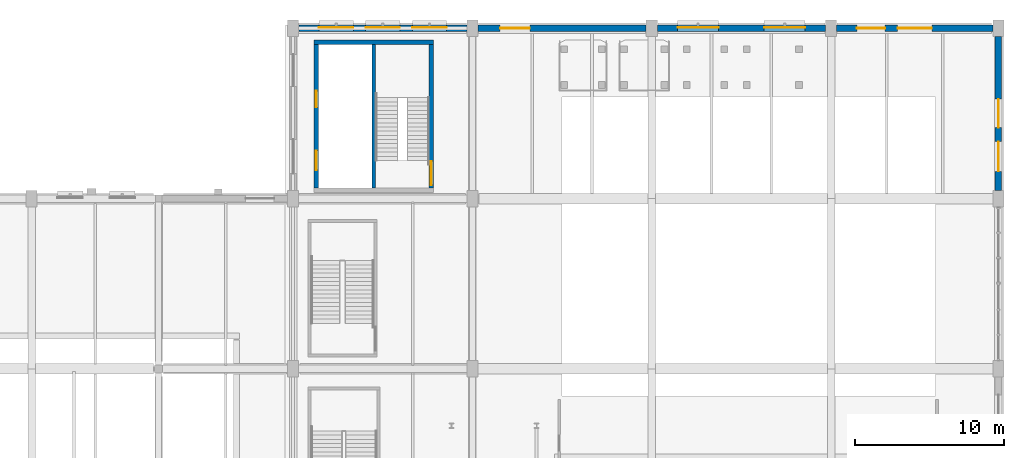
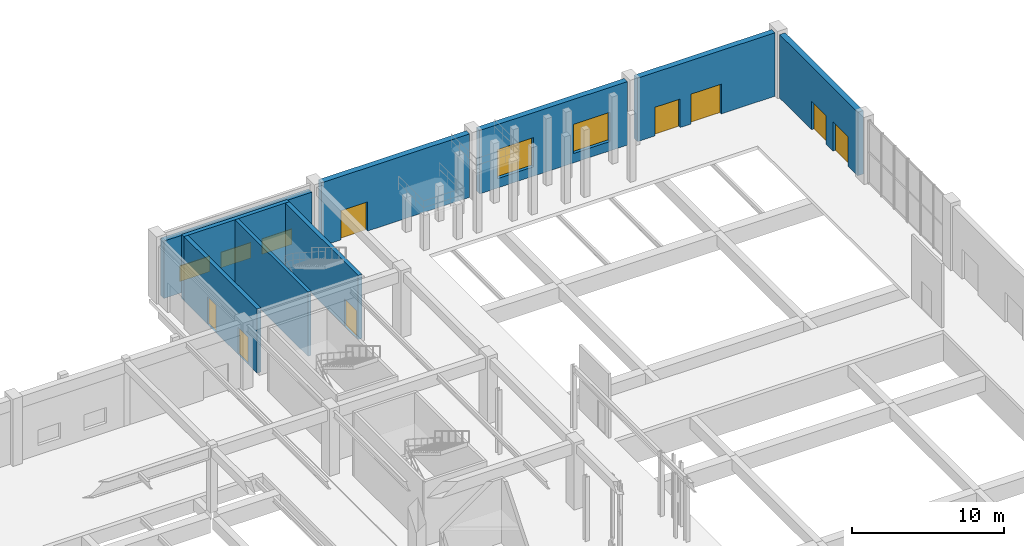
# One storey, part 93 of 113: 9 walls, 8 doors, 5 windows, 13 openings.
"""IFC4 building model written with IfcOpenShell, lengths in metres."""

from ifc_helpers import new_model, si_unit, direction, frame, frame_2d, origin, place, context, subcontext, project, spatial, rectangle, extrude, material, layer, layer_set, type_object, element, fill, save


model = new_model("IFC4")

# Units and contexts
model_context = context("Model", 3, precision=1e-05, world=origin(), true_north=direction((0.0, 1.0)))
body_context = subcontext(model_context, "Body", "Model", "MODEL_VIEW")
ifc_project = project(units=[si_unit("LENGTHUNIT", "METRE"), si_unit("AREAUNIT", "SQUARE_METRE"), si_unit("VOLUMEUNIT", "CUBIC_METRE"), si_unit("PLANEANGLEUNIT", "RADIAN"), si_unit("MASSUNIT", "GRAM", prefix="KILO"), si_unit("POWERUNIT", "WATT"), si_unit("THERMODYNAMICTEMPERATUREUNIT", "KELVIN")], contexts=[model_context])

# Site, building, storey
site_placement = place(None, origin())
site = spatial("IfcSite", under=ifc_project, at=site_placement, CompositionType="ELEMENT")
building_placement = place(site_placement, origin())
building = spatial("IfcBuilding", under=site, at=building_placement, Name="Kelmbourne Parkland Aquatics Centre", CompositionType="ELEMENT")
storey_placement = place(building_placement, origin())
storey = spatial("IfcBuildingStorey", under=building, at=storey_placement, Name="L00", CompositionType="ELEMENT", Elevation=0.0)

# Walls
ifc_material_1 = material(Name="Concrete C40/50", Category="concrete")
ifc_layer_1 = layer(ifc_material_1, 0.25)
ifc_layer_set_1 = layer_set([ifc_layer_1], Name="Concrete C40/50")
wall_type_1 = type_object("IfcWallType", Name="W-CORE-250", PredefinedType="SHEAR", material=ifc_layer_set_1)
wall_1_placement = place(storey_placement, frame((133.39990234375, 104.10009765625, 0.0), z_axis=(0.0, 0.0, 1.0), x_axis=(0.0, 1.0, 0.0)))
element("IfcWall", 1, at=wall_1_placement, inside=storey, type_object=wall_type_1, Name="North Diving Control Fire-Fighting Core divider wall (L00)", PredefinedType="SHEAR", context=body_context, shape_type="SweptSolid", body=[
    extrude(rectangle(XDim=9.599853515625, YDim=0.25, at=frame_2d((4.7998046875, 0.0))), origin(), (0.0, 0.0, 1.0), 5.159912109375),
])
ifc_layer_2 = layer(ifc_material_1, 0.300048828125)
ifc_layer_set_2 = layer_set([ifc_layer_2], Name="Concrete C40/50")
wall_type_2 = type_object("IfcWallType", Name="W-CORE-300", PredefinedType="SHEAR", material=ifc_layer_set_2)
wall_2_placement = place(storey_placement, frame((129.39990234375, 113.85009765625, 0.0), z_axis=(0.0, 0.0, 1.0), x_axis=(1.0, 0.0, 0.0)))
element("IfcWall", 2, at=wall_2_placement, inside=storey, type_object=wall_type_2, Name="North Diving Control Fire-Fighting Core north wall (L00)", PredefinedType="SHEAR", context=body_context, shape_type="SweptSolid", body=[
    extrude(rectangle(XDim=8.0, YDim=0.300048828125, at=frame_2d((4.0, 0.0))), origin(), (0.0, 0.0, 1.0), 5.159912109375),
])

# Wall, openings, doors
wall_3_placement = place(storey_placement, frame((129.550048828125, 104.10009765625, 0.0), z_axis=(0.0, 0.0, 1.0), x_axis=(0.0, 1.0, 0.0)))
wall_3 = element("IfcWall", 3, at=wall_3_placement, inside=storey, type_object=wall_type_2, Name="North Diving Control Fire-Fighting Core west wall (L00)", PredefinedType="SHEAR", context=body_context, shape_type="SweptSolid", body=[
    extrude(rectangle(XDim=9.599853515625, YDim=0.300048828125, at=frame_2d((4.7998046875, 0.0))), origin(), (0.0, 0.0, 1.0), 5.159912109375),
])
opening_1_placement = place(wall_3_placement, frame((1.199951171875, 0.0, 0.0)))
opening_1 = element("IfcOpeningElement", 4, at=opening_1_placement, cuts=wall_3, Name="Opening LD02", PredefinedType="OPENING", context=body_context, shape_type="SweptSolid", body=[
    extrude(rectangle(XDim=1.300048828125, YDim=2.199951171875, at=frame_2d((0.64990234375, 1.10009765625))), frame((0.0, 0.162109375, 0.0), z_axis=(0.0, -1.0, 0.0), x_axis=(1.0, 0.0, 0.0)), (0.0, 0.0, 1.0), 0.323974609375),
])
opening_2_placement = place(wall_3_placement, frame((5.39990234375, 0.0, 0.0)))
opening_2 = element("IfcOpeningElement", 5, at=opening_2_placement, cuts=wall_3, Name="Opening LD01", PredefinedType="OPENING", context=body_context, shape_type="SweptSolid", body=[
    extrude(rectangle(XDim=1.10009765625, YDim=2.199951171875, at=frame_2d((0.550048828125, 1.10009765625))), frame((0.0, 0.162109375, 0.0), z_axis=(0.0, -1.0, 0.0), x_axis=(1.0, 0.0, 0.0)), (0.0, 0.0, 1.0), 0.323974609375),
])
ifc_material_2 = material(Name="Marine-grade stainless steel and fire-rated hardwood doorset", Category="steel")
ifc_layer_3 = layer(ifc_material_2, 0.050048828125)
ifc_layer_set_3 = layer_set([ifc_layer_3], Name="Marine-grade stainless steel and fire-rated hardwood doorset")
door_type_1 = type_object("IfcDoorType", Name="DR-LD-110", OperationType="NOTDEFINED", PredefinedType="DOOR", material=ifc_layer_set_3)
door_1_placement = place(opening_2_placement, origin())
door_1 = element("IfcDoor", 6, at=door_1_placement, inside=storey, type_object=door_type_1, Name="Lift landing sliding door LF08 (L00)", OperationType="SLIDING_TO_RIGHT", OverallHeight=2.199951171875, OverallWidth=1.10009765625, PredefinedType="DOOR", context=body_context, shape_type="SweptSolid", body=[
    extrude(rectangle(XDim=1.10009765625, YDim=2.199951171875, at=frame_2d((0.550048828125, 1.10009765625))), frame((0.0, 0.02490234375, 0.0), z_axis=(0.0, -1.0, 0.0), x_axis=(1.0, 0.0, 0.0)), (0.0, 0.0, 1.0), 0.050048828125),
])
fill(opening_2, door_1)
ifc_layer_4 = layer(ifc_material_2, 0.050048828125)
ifc_layer_set_4 = layer_set([ifc_layer_4], Name="Marine-grade stainless steel and fire-rated hardwood doorset")
door_type_2 = type_object("IfcDoorType", Name="DR-LD-130", OperationType="NOTDEFINED", PredefinedType="DOOR", material=ifc_layer_set_4)
door_2_placement = place(opening_1_placement, origin())
door_2 = element("IfcDoor", 7, at=door_2_placement, inside=storey, type_object=door_type_2, Name="Lift landing sliding door LF07 (L00)", OperationType="SLIDING_TO_LEFT", OverallHeight=2.199951171875, OverallWidth=1.300048828125, PredefinedType="DOOR", context=body_context, shape_type="SweptSolid", body=[
    extrude(rectangle(XDim=1.300048828125, YDim=2.199951171875, at=frame_2d((0.64990234375, 1.10009765625))), frame((0.0, 0.02490234375, 0.0), z_axis=(0.0, -1.0, 0.0), x_axis=(1.0, 0.0, 0.0)), (0.0, 0.0, 1.0), 0.050048828125),
])
fill(opening_1, door_2)

# Wall, opening, door
wall_4_placement = place(storey_placement, frame((137.25, 104.10009765625, 0.0), z_axis=(0.0, 0.0, 1.0), x_axis=(0.0, 1.0, 0.0)))
wall_4 = element("IfcWall", 8, at=wall_4_placement, inside=storey, type_object=wall_type_2, Name="North Diving Control Fire-Fighting Core east wall (L00)", PredefinedType="SHEAR", context=body_context, shape_type="SweptSolid", body=[
    extrude(rectangle(XDim=9.599853515625, YDim=0.300048828125, at=frame_2d((4.7998046875, 0.0))), origin(), (0.0, 0.0, 1.0), 5.159912109375),
])
opening_3_placement = place(wall_4_placement, frame((0.199951171875, 0.0, 0.0)))
opening_3 = element("IfcOpeningElement", 9, at=opening_3_placement, cuts=wall_4, Name="Opening FD02", PredefinedType="OPENING", context=body_context, shape_type="SweptSolid", body=[
    extrude(rectangle(XDim=1.60009765625, YDim=2.199951171875, at=frame_2d((0.800048828125, 1.10009765625))), frame((0.0, 0.162109375, 0.0), z_axis=(0.0, -1.0, 0.0), x_axis=(1.0, 0.0, 0.0)), (0.0, 0.0, 1.0), 0.323974609375),
])
ifc_layer_5 = layer(ifc_material_2, 0.050048828125)
ifc_layer_set_5 = layer_set([ifc_layer_5], Name="Marine-grade stainless steel and fire-rated hardwood doorset")
door_type_3 = type_object("IfcDoorType", Name="DR-FD-160", OperationType="NOTDEFINED", PredefinedType="DOOR", material=ifc_layer_set_5)
door_3_placement = place(opening_3_placement, frame((1.60009765625, 0.0, 0.0), z_axis=(0.0, 0.0, 1.0), x_axis=(-1.0, 0.0, 0.0)))
door_3 = element("IfcDoor", 10, at=door_3_placement, inside=storey, type_object=door_type_3, Name="Fire stair door ST05 (L00)", OperationType="DOUBLE_DOOR_SINGLE_SWING", OverallHeight=2.199951171875, OverallWidth=1.60009765625, PredefinedType="DOOR", context=body_context, shape_type="SweptSolid", body=[
    extrude(rectangle(XDim=1.60009765625, YDim=2.199951171875, at=frame_2d((0.800048828125, 1.10009765625))), frame((0.0, 0.02490234375, 0.0), z_axis=(0.0, -1.0, 0.0), x_axis=(1.0, 0.0, 0.0)), (0.0, 0.0, 1.0), 0.050048828125),
])
fill(opening_3, door_3)

# Wall, openings, doors
ifc_material_3 = material(Name="Dark manganite base-course brickwork", Category="masonry")
ifc_layer_6 = layer(ifc_material_3, 0.429931640625)
ifc_layer_set_6 = layer_set([ifc_layer_6], Name="Dark manganite base-course brickwork")
wall_type_3 = type_object("IfcWallType", Name="W-EXT-430", PredefinedType="STANDARD", material=ifc_layer_set_6)
wall_5_placement = place(storey_placement, frame((175.199951171875, 103.951904296875, 0.0), z_axis=(0.0, 0.0, 1.0), x_axis=(0.0, 1.0, 0.0)))
wall_5 = element("IfcWall", 11, at=wall_5_placement, inside=storey, type_object=wall_type_3, Name="Exterior polychrome brick wall EW-L00-050", PredefinedType="STANDARD", context=body_context, shape_type="SweptSolid", body=[
    extrude(rectangle(XDim=10.296142578125, YDim=0.429931640625, at=frame_2d((5.14794921875, 0.0))), origin(), (0.0, 0.0, 1.0), 5.10009765625),
])
opening_4_placement = place(wall_5_placement, frame((1.26513671875, 0.0, 0.0)))
opening_4 = element("IfcOpeningElement", 12, at=opening_4_placement, cuts=wall_5, Name="Opening E39", PredefinedType="OPENING", context=body_context, shape_type="SweptSolid", body=[
    extrude(rectangle(XDim=2.0, YDim=2.35009765625, at=frame_2d((1.0, 1.175048828125))), frame((0.0, 0.22705078125, 0.0), z_axis=(0.0, -1.0, 0.0), x_axis=(1.0, 0.0, 0.0)), (0.0, 0.0, 1.0), 0.453857421875),
])
opening_5_placement = place(wall_5_placement, frame((4.197998046875, 0.0, 0.0)))
opening_5 = element("IfcOpeningElement", 13, at=opening_5_placement, cuts=wall_5, Name="Opening E40", PredefinedType="OPENING", context=body_context, shape_type="SweptSolid", body=[
    extrude(rectangle(XDim=1.89990234375, YDim=2.300048828125, at=frame_2d((0.949951171875, 1.14990234375))), frame((0.0, 0.22705078125, 0.0), z_axis=(0.0, -1.0, 0.0), x_axis=(1.0, 0.0, 0.0)), (0.0, 0.0, 1.0), 0.453857421875),
])
ifc_material_4 = material(Name="Thermally broken anodised aluminium commercial door", Category="aluminium")
ifc_layer_7 = layer(ifc_material_4, 0.06005859375)
ifc_layer_set_7 = layer_set([ifc_layer_7], Name="Thermally broken anodised aluminium commercial door")
door_type_4 = type_object("IfcDoorType", Name="DR-EXT-190", OperationType="NOTDEFINED", PredefinedType="DOOR", material=ifc_layer_set_7)
door_4_placement = place(opening_5_placement, frame((1.89990234375, 0.0, 0.0), z_axis=(0.0, 0.0, 1.0), x_axis=(-1.0, 0.0, 0.0)))
door_4 = element("IfcDoor", 14, at=door_4_placement, inside=storey, type_object=door_type_4, Name="Final exit double door E40", OperationType="DOUBLE_DOOR_SINGLE_SWING", OverallHeight=2.300048828125, OverallWidth=1.89990234375, PredefinedType="DOOR", context=body_context, shape_type="SweptSolid", body=[
    extrude(rectangle(XDim=1.89990234375, YDim=2.300048828125, at=frame_2d((0.949951171875, 1.14990234375))), frame((0.0, 0.02490234375, 0.0), z_axis=(0.0, -1.0, 0.0), x_axis=(1.0, 0.0, 0.0)), (0.0, 0.0, 1.0), 0.050048828125),
])
fill(opening_5, door_4)
ifc_layer_8 = layer(ifc_material_4, 0.06005859375)
ifc_layer_set_8 = layer_set([ifc_layer_8], Name="Thermally broken anodised aluminium commercial door")
door_type_5 = type_object("IfcDoorType", Name="DR-EXT-200", OperationType="NOTDEFINED", PredefinedType="DOOR", material=ifc_layer_set_8)
door_5_placement = place(opening_4_placement, frame((2.0, 0.0, 0.0), z_axis=(0.0, 0.0, 1.0), x_axis=(-1.0, 0.0, 0.0)))
door_5 = element("IfcDoor", 15, at=door_5_placement, inside=storey, type_object=door_type_5, Name="Final exit double door E39", OperationType="DOUBLE_DOOR_SINGLE_SWING", OverallHeight=2.35009765625, OverallWidth=2.0, PredefinedType="DOOR", context=body_context, shape_type="SweptSolid", body=[
    extrude(rectangle(XDim=2.0, YDim=2.35009765625, at=frame_2d((1.0, 1.175048828125))), frame((0.0, 0.02490234375, 0.0), z_axis=(0.0, -1.0, 0.0), x_axis=(1.0, 0.0, 0.0)), (0.0, 0.0, 1.0), 0.050048828125),
])
fill(opening_4, door_5)

# Wall, openings, windows
wall_6_placement = place(storey_placement, frame((128.376953125, 114.800048828125, 0.0), z_axis=(0.0, 0.0, 1.0), x_axis=(1.0, 0.0, 0.0)))
wall_6 = element("IfcWall", 16, at=wall_6_placement, inside=storey, type_object=wall_type_3, Name="Exterior polychrome brick wall EW-L00-052", PredefinedType="STANDARD", context=body_context, shape_type="SweptSolid", body=[
    extrude(rectangle(XDim=11.24609375, YDim=0.429931640625, at=frame_2d((5.623046875, 0.0))), origin(), (0.0, 0.0, 1.0), 4.612060546875),
])
opening_6_placement = place(wall_6_placement, frame((1.35009765625, 0.0, 0.75)))
opening_6 = element("IfcOpeningElement", 17, at=opening_6_placement, cuts=wall_6, Name="Opening W15", PredefinedType="OPENING", context=body_context, shape_type="SweptSolid", body=[
    extrude(rectangle(XDim=2.300048828125, YDim=1.25, at=frame_2d((1.14990234375, 0.625))), frame((0.0, 0.22705078125, 0.0), z_axis=(0.0, -1.0, 0.0), x_axis=(1.0, 0.0, 0.0)), (0.0, 0.0, 1.0), 0.453857421875),
])
opening_7_placement = place(wall_6_placement, frame((4.472900390625, 0.0, 0.75)))
opening_7 = element("IfcOpeningElement", 18, at=opening_7_placement, cuts=wall_6, Name="Opening W15", PredefinedType="OPENING", context=body_context, shape_type="SweptSolid", body=[
    extrude(rectangle(XDim=2.300048828125, YDim=1.25, at=frame_2d((1.14990234375, 0.625))), frame((0.0, 0.22705078125, 0.0), z_axis=(0.0, -1.0, 0.0), x_axis=(1.0, 0.0, 0.0)), (0.0, 0.0, 1.0), 0.453857421875),
])
opening_8_placement = place(wall_6_placement, frame((7.595947265625, 0.0, 0.75)))
opening_8 = element("IfcOpeningElement", 19, at=opening_8_placement, cuts=wall_6, Name="Opening W15", PredefinedType="OPENING", context=body_context, shape_type="SweptSolid", body=[
    extrude(rectangle(XDim=2.300048828125, YDim=1.25, at=frame_2d((1.14990234375, 0.625))), frame((0.0, 0.22705078125, 0.0), z_axis=(0.0, -1.0, 0.0), x_axis=(1.0, 0.0, 0.0)), (0.0, 0.0, 1.0), 0.453857421875),
])
ifc_material_5 = material(Name="Thermally broken anodised aluminium window with low-e glass", Category="aluminium")
ifc_layer_9 = layer(ifc_material_5, 0.090087890625)
ifc_layer_set_9 = layer_set([ifc_layer_9], Name="Thermally broken anodised aluminium window with low-e glass")
window_type_1 = type_object("IfcWindowType", Name="WN-15", PartitioningType="DOUBLE_PANEL_HORIZONTAL", PredefinedType="WINDOW", material=ifc_layer_set_9)
window_1_placement = place(opening_6_placement, origin())
window_1 = element("IfcWindow", 20, at=window_1_placement, inside=storey, type_object=window_type_1, Name="Deep-reveal masonry window W15", OverallHeight=1.25, OverallWidth=2.300048828125, PartitioningType="DOUBLE_PANEL_HORIZONTAL", PredefinedType="WINDOW", context=body_context, shape_type="SweptSolid", body=[
    extrude(rectangle(XDim=2.300048828125, YDim=1.25, at=frame_2d((1.14990234375, 0.625))), frame((0.0, 0.080078125, 0.0), z_axis=(0.0, -1.0, 0.0), x_axis=(1.0, 0.0, 0.0)), (0.0, 0.0, 1.0), 0.06005859375),
])
fill(opening_6, window_1)
window_2_placement = place(opening_7_placement, origin())
window_2 = element("IfcWindow", 21, at=window_2_placement, inside=storey, type_object=window_type_1, Name="Deep-reveal masonry window W15", OverallHeight=1.25, OverallWidth=2.300048828125, PartitioningType="DOUBLE_PANEL_HORIZONTAL", PredefinedType="WINDOW", context=body_context, shape_type="SweptSolid", body=[
    extrude(rectangle(XDim=2.300048828125, YDim=1.25, at=frame_2d((1.14990234375, 0.625))), frame((0.0, 0.080078125, 0.0), z_axis=(0.0, -1.0, 0.0), x_axis=(1.0, 0.0, 0.0)), (0.0, 0.0, 1.0), 0.06005859375),
])
fill(opening_7, window_2)
window_3_placement = place(opening_8_placement, origin())
window_3 = element("IfcWindow", 22, at=window_3_placement, inside=storey, type_object=window_type_1, Name="Deep-reveal masonry window W15", OverallHeight=1.25, OverallWidth=2.300048828125, PartitioningType="DOUBLE_PANEL_HORIZONTAL", PredefinedType="WINDOW", context=body_context, shape_type="SweptSolid", body=[
    extrude(rectangle(XDim=2.300048828125, YDim=1.25, at=frame_2d((1.14990234375, 0.625))), frame((0.0, 0.080078125, 0.0), z_axis=(0.0, -1.0, 0.0), x_axis=(1.0, 0.0, 0.0)), (0.0, 0.0, 1.0), 0.06005859375),
])
fill(opening_8, window_3)

# Wall, opening, door
wall_7_placement = place(storey_placement, frame((140.376953125, 114.800048828125, 0.0), z_axis=(0.0, 0.0, 1.0), x_axis=(1.0, 0.0, 0.0)))
wall_7 = element("IfcWall", 23, at=wall_7_placement, inside=storey, type_object=wall_type_3, Name="Exterior polychrome brick wall EW-L00-053", PredefinedType="STANDARD", context=body_context, shape_type="SweptSolid", body=[
    extrude(rectangle(XDim=11.24609375, YDim=0.429931640625, at=frame_2d((5.623046875, 0.0))), origin(), (0.0, 0.0, 1.0), 5.10009765625),
])
opening_9_placement = place(wall_7_placement, frame((1.47412109375, 0.0, 0.0)))
opening_9 = element("IfcOpeningElement", 24, at=opening_9_placement, cuts=wall_7, Name="Opening E43", PredefinedType="OPENING", context=body_context, shape_type="SweptSolid", body=[
    extrude(rectangle(XDim=2.0, YDim=2.35009765625, at=frame_2d((1.0, 1.175048828125))), frame((0.0, 0.22705078125, 0.0), z_axis=(0.0, -1.0, 0.0), x_axis=(1.0, 0.0, 0.0)), (0.0, 0.0, 1.0), 0.453857421875),
])
door_6_placement = place(opening_9_placement, origin())
door_6 = element("IfcDoor", 25, at=door_6_placement, inside=storey, type_object=door_type_5, Name="Final exit double door E43", OperationType="DOUBLE_DOOR_SINGLE_SWING", OverallHeight=2.35009765625, OverallWidth=2.0, PredefinedType="DOOR", context=body_context, shape_type="SweptSolid", body=[
    extrude(rectangle(XDim=2.0, YDim=2.35009765625, at=frame_2d((1.0, 1.175048828125))), frame((0.0, 0.02490234375, 0.0), z_axis=(0.0, -1.0, 0.0), x_axis=(1.0, 0.0, 0.0)), (0.0, 0.0, 1.0), 0.050048828125),
])
fill(opening_9, door_6)

# Wall, openings, windows
wall_8_placement = place(storey_placement, frame((152.376953125, 114.800048828125, 0.0), z_axis=(0.0, 0.0, 1.0), x_axis=(1.0, 0.0, 0.0)))
wall_8 = element("IfcWall", 26, at=wall_8_placement, inside=storey, type_object=wall_type_3, Name="Exterior polychrome brick wall EW-L00-054", PredefinedType="STANDARD", context=body_context, shape_type="SweptSolid", body=[
    extrude(rectangle(XDim=11.24609375, YDim=0.429931640625, at=frame_2d((5.623046875, 0.0))), origin(), (0.0, 0.0, 1.0), 5.10009765625),
])
opening_10_placement = place(wall_8_placement, frame((1.35009765625, 0.0, 0.75)))
opening_10 = element("IfcOpeningElement", 27, at=opening_10_placement, cuts=wall_8, Name="Opening W20", PredefinedType="OPENING", context=body_context, shape_type="SweptSolid", body=[
    extrude(rectangle(XDim=2.75, YDim=2.35009765625, at=frame_2d((1.375, 1.175048828125))), frame((0.0, 0.22705078125, 0.0), z_axis=(0.0, -1.0, 0.0), x_axis=(1.0, 0.0, 0.0)), (0.0, 0.0, 1.0), 0.453857421875),
])
opening_11_placement = place(wall_8_placement, frame((7.14599609375, 0.0, 0.75)))
opening_11 = element("IfcOpeningElement", 28, at=opening_11_placement, cuts=wall_8, Name="Opening W20", PredefinedType="OPENING", context=body_context, shape_type="SweptSolid", body=[
    extrude(rectangle(XDim=2.75, YDim=2.35009765625, at=frame_2d((1.375, 1.175048828125))), frame((0.0, 0.22705078125, 0.0), z_axis=(0.0, -1.0, 0.0), x_axis=(1.0, 0.0, 0.0)), (0.0, 0.0, 1.0), 0.453857421875),
])
ifc_layer_10 = layer(ifc_material_5, 0.090087890625)
ifc_layer_set_10 = layer_set([ifc_layer_10], Name="Thermally broken anodised aluminium window with low-e glass")
window_type_2 = type_object("IfcWindowType", Name="WN-20", PartitioningType="TRIPLE_PANEL_VERTICAL", PredefinedType="WINDOW", material=ifc_layer_set_10)
window_4_placement = place(opening_10_placement, origin())
window_4 = element("IfcWindow", 29, at=window_4_placement, inside=storey, type_object=window_type_2, Name="Deep-reveal masonry window W20", OverallHeight=2.35009765625, OverallWidth=2.75, PartitioningType="TRIPLE_PANEL_VERTICAL", PredefinedType="WINDOW", context=body_context, shape_type="SweptSolid", body=[
    extrude(rectangle(XDim=2.75, YDim=2.35009765625, at=frame_2d((1.375, 1.175048828125))), frame((0.0, 0.080078125, 0.0), z_axis=(0.0, -1.0, 0.0), x_axis=(1.0, 0.0, 0.0)), (0.0, 0.0, 1.0), 0.06005859375),
])
fill(opening_10, window_4)
window_5_placement = place(opening_11_placement, origin())
window_5 = element("IfcWindow", 30, at=window_5_placement, inside=storey, type_object=window_type_2, Name="Deep-reveal masonry window W20", OverallHeight=2.35009765625, OverallWidth=2.75, PartitioningType="TRIPLE_PANEL_VERTICAL", PredefinedType="WINDOW", context=body_context, shape_type="SweptSolid", body=[
    extrude(rectangle(XDim=2.75, YDim=2.35009765625, at=frame_2d((1.375, 1.175048828125))), frame((0.0, 0.080078125, 0.0), z_axis=(0.0, -1.0, 0.0), x_axis=(1.0, 0.0, 0.0)), (0.0, 0.0, 1.0), 0.06005859375),
])
fill(opening_11, window_5)

# Wall, openings, doors
wall_9_placement = place(storey_placement, frame((164.376953125, 114.800048828125, 0.0), z_axis=(0.0, 0.0, 1.0), x_axis=(1.0, 0.0, 0.0)))
wall_9 = element("IfcWall", 31, at=wall_9_placement, inside=storey, type_object=wall_type_3, Name="Exterior polychrome brick wall EW-L00-055", PredefinedType="STANDARD", context=body_context, shape_type="SweptSolid", body=[
    extrude(rectangle(XDim=10.446044921875, YDim=0.429931640625, at=frame_2d((5.22314453125, 0.0))), origin(), (0.0, 0.0, 1.0), 5.10009765625),
])
opening_12_placement = place(wall_9_placement, frame((1.34814453125, 0.0, 0.0)))
opening_12 = element("IfcOpeningElement", 32, at=opening_12_placement, cuts=wall_9, Name="Opening E44", PredefinedType="OPENING", context=body_context, shape_type="SweptSolid", body=[
    extrude(rectangle(XDim=1.89990234375, YDim=2.300048828125, at=frame_2d((0.949951171875, 1.14990234375))), frame((0.0, 0.22705078125, 0.0), z_axis=(0.0, -1.0, 0.0), x_axis=(1.0, 0.0, 0.0)), (0.0, 0.0, 1.0), 0.453857421875),
])
opening_13_placement = place(wall_9_placement, frame((4.072998046875, 0.0, 0.0)))
opening_13 = element("IfcOpeningElement", 33, at=opening_13_placement, cuts=wall_9, Name="Opening E45", PredefinedType="OPENING", context=body_context, shape_type="SweptSolid", body=[
    extrude(rectangle(XDim=2.300048828125, YDim=2.39990234375, at=frame_2d((1.14990234375, 1.199951171875))), frame((0.0, 0.22705078125, 0.0), z_axis=(0.0, -1.0, 0.0), x_axis=(1.0, 0.0, 0.0)), (0.0, 0.0, 1.0), 0.453857421875),
])
door_7_placement = place(opening_12_placement, origin())
door_7 = element("IfcDoor", 34, at=door_7_placement, inside=storey, type_object=door_type_4, Name="Final exit double door E44", OperationType="DOUBLE_DOOR_SINGLE_SWING", OverallHeight=2.300048828125, OverallWidth=1.89990234375, PredefinedType="DOOR", context=body_context, shape_type="SweptSolid", body=[
    extrude(rectangle(XDim=1.89990234375, YDim=2.300048828125, at=frame_2d((0.949951171875, 1.14990234375))), frame((0.0, 0.02490234375, 0.0), z_axis=(0.0, -1.0, 0.0), x_axis=(1.0, 0.0, 0.0)), (0.0, 0.0, 1.0), 0.050048828125),
])
fill(opening_12, door_7)
ifc_layer_11 = layer(ifc_material_4, 0.06005859375)
ifc_layer_set_11 = layer_set([ifc_layer_11], Name="Thermally broken anodised aluminium commercial door")
door_type_6 = type_object("IfcDoorType", Name="DR-EXT-230", OperationType="NOTDEFINED", PredefinedType="DOOR", material=ifc_layer_set_11)
door_8_placement = place(opening_13_placement, origin())
door_8 = element("IfcDoor", 35, at=door_8_placement, inside=storey, type_object=door_type_6, Name="Final exit double door E45", OperationType="DOUBLE_DOOR_SINGLE_SWING", OverallHeight=2.39990234375, OverallWidth=2.300048828125, PredefinedType="DOOR", context=body_context, shape_type="SweptSolid", body=[
    extrude(rectangle(XDim=2.300048828125, YDim=2.39990234375, at=frame_2d((1.14990234375, 1.199951171875))), frame((0.0, 0.02490234375, 0.0), z_axis=(0.0, -1.0, 0.0), x_axis=(1.0, 0.0, 0.0)), (0.0, 0.0, 1.0), 0.050048828125),
])
fill(opening_13, door_8)

save(model, "model.ifc")
